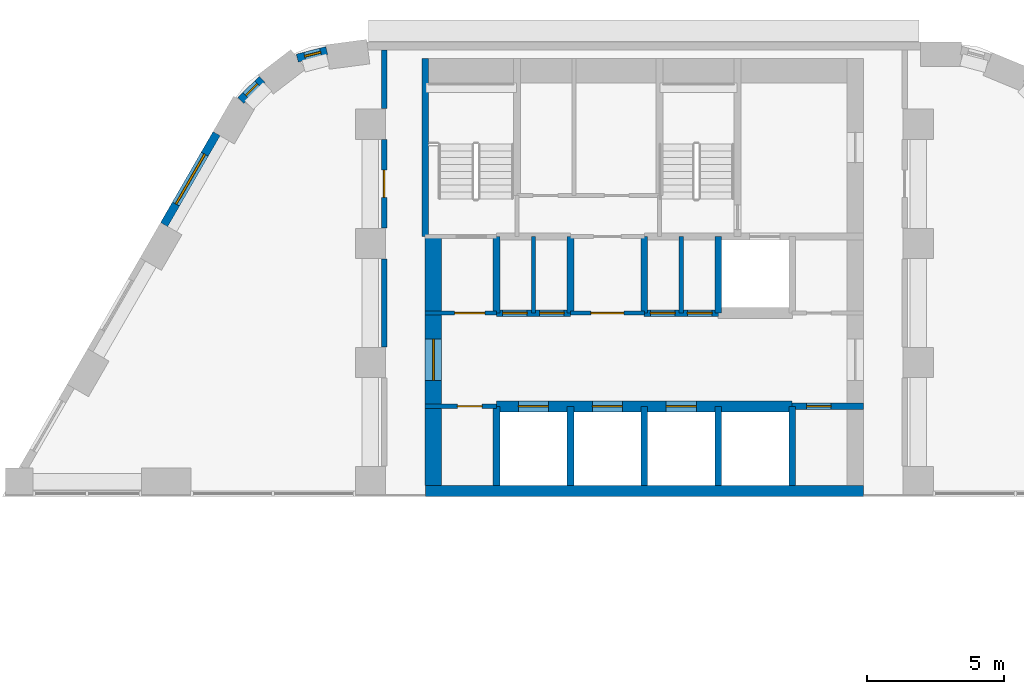
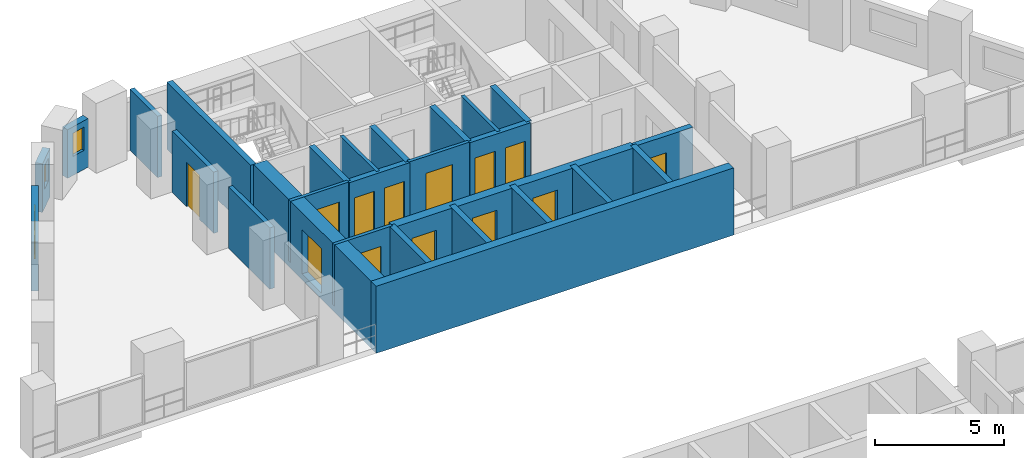
# One storey, part 7 of 11: 27 walls, 13 doors, 3 windows, 16 openings.
"""IFC4 building model written with IfcOpenShell, lengths in metres."""

from ifc_helpers import new_model, si_unit, direction, frame, frame_2d, origin, place, context, subcontext, project, spatial, rectangle, extrude, material, layer, layer_set, type_object, element, fill, save


model = new_model("IFC4")

# Units and contexts
model_context = context("Model", 3, precision=1e-05, world=origin(), true_north=direction((0.0, 1.0)))
body_context = subcontext(model_context, "Body", "Model", "MODEL_VIEW")
ifc_project = project(units=[si_unit("LENGTHUNIT", "METRE"), si_unit("AREAUNIT", "SQUARE_METRE"), si_unit("VOLUMEUNIT", "CUBIC_METRE"), si_unit("PLANEANGLEUNIT", "RADIAN"), si_unit("MASSUNIT", "GRAM", prefix="KILO")], contexts=[model_context])

# Site, building, storey
site_placement = place(None, origin())
site = spatial("IfcSite", under=ifc_project, at=site_placement, CompositionType="ELEMENT")
building_placement = place(site_placement, origin())
building = spatial("IfcBuilding", under=site, at=building_placement, Name="Nakaniwa Court", CompositionType="ELEMENT")
storey_placement = place(building_placement, frame((0.0, 0.0, 34.800048828125)))
storey = spatial("IfcBuildingStorey", under=building, at=storey_placement, Name="L08", CompositionType="ELEMENT", Elevation=34.800048828125)

# Wall
ifc_material_1 = material(Name="Acoustic double stud partition")
ifc_layer_1 = layer(ifc_material_1, 0.199951171875)
ifc_layer_set_1 = layer_set([ifc_layer_1], Name="Acoustic double stud partition")
wall_type_1 = type_object("IfcWallType", Name="Acoustic double stud partition 200", PredefinedType="PARTITIONING", material=ifc_layer_set_1)
wall_1_placement = place(storey_placement, frame((70.5, 92.866943359375, 0.0), z_axis=(0.0, 0.0, 1.0), x_axis=(0.0, 1.0, 0.0)))
element("IfcWall", 1, at=wall_1_placement, inside=storey, type_object=wall_type_1, Name="Partition PW-084", PredefinedType="PARTITIONING", context=body_context, shape_type="SweptSolid", body=[
    extrude(rectangle(XDim=3.216064453125, YDim=0.199951171875, at=frame_2d((1.60791015625, 0.0))), origin(), (0.0, 0.0, 1.0), 2.89990234375),
])

# Wall, opening, door
wall_2_placement = place(storey_placement, frame((70.5, 97.217041015625, 0.0), z_axis=(0.0, 0.0, 1.0), x_axis=(0.0, 1.0, 0.0)))
wall_2 = element("IfcWall", 2, at=wall_2_placement, inside=storey, type_object=wall_type_1, Name="Partition PW-085", PredefinedType="PARTITIONING", context=body_context, shape_type="SweptSolid", body=[
    extrude(rectangle(XDim=3.216064453125, YDim=0.199951171875, at=frame_2d((1.60791015625, 0.0))), origin(), (0.0, 0.0, 1.0), 2.89990234375),
])
opening_1_placement = place(wall_2_placement, frame((1.10791015625, 0.0, 0.0)))
opening_1 = element("IfcOpeningElement", 3, at=opening_1_placement, cuts=wall_2, Name="Opening D-02-04", PredefinedType="OPENING", context=body_context, shape_type="SweptSolid", body=[
    extrude(rectangle(XDim=1.0, YDim=2.10009765625, at=frame_2d((0.5, 1.050048828125))), frame((0.0, 0.10986328125, 0.0), z_axis=(0.0, -1.0, 0.0), x_axis=(1.0, 0.0, 0.0)), (0.0, 0.0, 1.0), 0.219970703125),
])
ifc_material_2 = material(Name="Solid core timber door set, black veneer", Category="wood")
door_type_1 = type_object("IfcDoorType", Name="Internal door 1000", OperationType="NOTDEFINED", PredefinedType="DOOR", material=ifc_material_2)
door_1_placement = place(opening_1_placement, origin())
door_1 = element("IfcDoor", 4, at=door_1_placement, inside=storey, type_object=door_type_1, Name="Door D-02-04 L08-032", OperationType="SINGLE_SWING_LEFT", OverallHeight=2.10009765625, OverallWidth=1.0, PredefinedType="DOOR", context=body_context, shape_type="SweptSolid", body=[
    extrude(rectangle(XDim=1.0, YDim=2.10009765625, at=frame_2d((0.5, 1.050048828125))), frame((0.0, 0.02490234375, 0.0), z_axis=(0.0, -1.0, 0.0), x_axis=(1.0, 0.0, 0.0)), (0.0, 0.0, 1.0), 0.050048828125),
])
fill(opening_1, door_1)

# Wall
wall_3_placement = place(storey_placement, frame((70.5, 101.56689453125, 0.0), z_axis=(0.0, 0.0, 1.0), x_axis=(0.0, 1.0, 0.0)))
element("IfcWall", 5, at=wall_3_placement, inside=storey, type_object=wall_type_1, Name="Partition PW-086", PredefinedType="PARTITIONING", context=body_context, shape_type="SweptSolid", body=[
    extrude(rectangle(XDim=2.133056640625, YDim=0.199951171875, at=frame_2d((1.06640625, 0.0))), origin(), (0.0, 0.0, 1.0), 2.89990234375),
])

# Wall, opening, window
ifc_material_3 = material(Name="Charcoal ceramic cladding")
ifc_layer_2 = layer(ifc_material_3, 0.02, Name="Ceramic cladding")
ifc_material_4 = material(Name="Ventilated air cavity")
ifc_layer_3 = layer(ifc_material_4, 0.04, ventilated=True, Name="Ventilated cavity")
ifc_material_5 = material(Name="Mineral wool insulation")
ifc_layer_4 = layer(ifc_material_5, 0.1, Name="Insulation")
ifc_material_6 = material(Name="Cement bonded sheathing board")
ifc_layer_5 = layer(ifc_material_6, 0.012, Name="Sheathing")
ifc_material_7 = material(Name="Cold-formed galvanised stud frame with mineral wool infill")
ifc_layer_6 = layer(ifc_material_7, 0.1, Name="Stud frame")
ifc_material_8 = material(Name="Fire-rated gypsum plasterboard lining")
ifc_layer_7 = layer(ifc_material_8, 0.028, Name="Lining")
ifc_layer_set_2 = layer_set([ifc_layer_2, ifc_layer_3, ifc_layer_4, ifc_layer_5, ifc_layer_6, ifc_layer_7], Name="Charcoal ceramic faced external wall system")
wall_type_2 = type_object("IfcWallType", Name="Black ceramic faced external wall 300", PredefinedType="SOLIDWALL", material=ifc_layer_set_2)
wall_4_placement = place(storey_placement, frame((68.4052734375, 103.68310546875, 0.0), z_axis=(0.0, 0.0, 1.0), x_axis=(-0.969766298956, -0.244035500304, 0.0)))
wall_4 = element("IfcWall", 6, at=wall_4_placement, inside=storey, type_object=wall_type_2, Name="L08 external wall 27", PredefinedType="SOLIDWALL", context=body_context, shape_type="SweptSolid", body=[
    extrude(rectangle(XDim=1.110595703125, YDim=0.300048828125, at=frame_2d((0.55517578125, 0.0))), origin(), (0.0, 0.0, 1.0), 2.300048828125),
])
opening_2_placement = place(wall_4_placement, frame((0.230712890625, 0.0, 0.89990234375)))
opening_2 = element("IfcOpeningElement", 7, at=opening_2_placement, cuts=wall_4, Name="Opening W8.18", PredefinedType="OPENING", context=body_context, shape_type="SweptSolid", body=[
    extrude(rectangle(XDim=0.60009765625, YDim=1.10009765625, at=frame_2d((0.300048828125, 0.550048828125))), frame((0.0, 0.159912109375, 0.0), z_axis=(0.0, -1.0, 0.0), x_axis=(1.0, 0.0, 0.0)), (0.0, 0.0, 1.0), 0.320068359375),
])
ifc_material_9 = material(Name="Black anodised aluminium frame with dark low-E laminated double glazing", Category="aluminium")
window_type_1 = type_object("IfcWindowType", Name="Dark glass window 600x1100 sill 900", PartitioningType="SINGLE_PANEL", PredefinedType="WINDOW", material=ifc_material_9)
window_1_placement = place(opening_2_placement, origin())
window_1 = element("IfcWindow", 8, at=window_1_placement, inside=storey, type_object=window_type_1, Name="L08 habitable room window 27-0", OverallHeight=1.10009765625, OverallWidth=0.60009765625, PartitioningType="SINGLE_PANEL", PredefinedType="WINDOW", context=body_context, shape_type="SweptSolid", body=[
    extrude(rectangle(XDim=0.60009765625, YDim=1.10009765625, at=frame_2d((0.300048828125, 0.550048828125))), frame((0.0, 0.030029296875, 0.0), z_axis=(0.0, -1.0, 0.0), x_axis=(1.0, 0.0, 0.0)), (0.0, 0.0, 1.0), 0.06005859375),
])
fill(opening_2, window_1)

wall_5_placement = place(storey_placement, frame((66.04150390625, 102.637451171875, 0.0), z_axis=(0.0, 0.0, 1.0), x_axis=(-0.708892395813, -0.705316646024, 0.0)))
wall_5 = element("IfcWall", 9, at=wall_5_placement, inside=storey, type_object=wall_type_2, Name="L08 external wall 28", PredefinedType="SOLIDWALL", context=body_context, shape_type="SweptSolid", body=[
    extrude(rectangle(XDim=1.092529296875, YDim=0.300048828125, at=frame_2d((0.54638671875, 0.0))), origin(), (0.0, 0.0, 1.0), 2.300048828125),
])
opening_3_placement = place(wall_5_placement, frame((0.23583984375, 0.0, 0.89990234375)))
opening_3 = element("IfcOpeningElement", 10, at=opening_3_placement, cuts=wall_5, Name="Opening W8.19", PredefinedType="OPENING", context=body_context, shape_type="SweptSolid", body=[
    extrude(rectangle(XDim=0.60009765625, YDim=1.10009765625, at=frame_2d((0.300048828125, 0.550048828125))), frame((0.0, 0.159912109375, 0.0), z_axis=(0.0, -1.0, 0.0), x_axis=(1.0, 0.0, 0.0)), (0.0, 0.0, 1.0), 0.320068359375),
])
window_2_placement = place(opening_3_placement, origin())
window_2 = element("IfcWindow", 11, at=window_2_placement, inside=storey, type_object=window_type_1, Name="L08 habitable room window 28-0", OverallHeight=1.10009765625, OverallWidth=0.60009765625, PartitioningType="SINGLE_PANEL", PredefinedType="WINDOW", context=body_context, shape_type="SweptSolid", body=[
    extrude(rectangle(XDim=0.60009765625, YDim=1.10009765625, at=frame_2d((0.300048828125, 0.550048828125))), frame((0.0, 0.030029296875, 0.0), z_axis=(0.0, -1.0, 0.0), x_axis=(1.0, 0.0, 0.0)), (0.0, 0.0, 1.0), 0.06005859375),
])
fill(opening_3, window_2)

wall_6_placement = place(storey_placement, frame((64.384765625, 100.653564453125, 0.0), z_axis=(0.0, 0.0, 1.0), x_axis=(-0.499974163209, -0.866040320149, 0.0)))
wall_6 = element("IfcWall", 12, at=wall_6_placement, inside=storey, type_object=wall_type_2, Name="L08 external wall 29", PredefinedType="SOLIDWALL", context=body_context, shape_type="SweptSolid", body=[
    extrude(rectangle(XDim=3.834228515625, YDim=0.300048828125, at=frame_2d((1.9169921875, 0.0))), origin(), (0.0, 0.0, 1.0), 2.300048828125),
])
opening_4_placement = place(wall_6_placement, frame((0.8671875, 0.0, 0.89990234375)))
opening_4 = element("IfcOpeningElement", 13, at=opening_4_placement, cuts=wall_6, Name="Opening W7.20", PredefinedType="OPENING", context=body_context, shape_type="SweptSolid", body=[
    extrude(rectangle(XDim=2.10009765625, YDim=1.10009765625, at=frame_2d((1.050048828125, 0.550048828125))), frame((0.0, 0.159912109375, 0.0), z_axis=(0.0, -1.0, 0.0), x_axis=(1.0, 0.0, 0.0)), (0.0, 0.0, 1.0), 0.320068359375),
])
window_type_2 = type_object("IfcWindowType", Name="Dark glass window 2100x1100 sill 900", PartitioningType="SINGLE_PANEL", PredefinedType="WINDOW", material=ifc_material_9)
window_3_placement = place(opening_4_placement, origin())
window_3 = element("IfcWindow", 14, at=window_3_placement, inside=storey, type_object=window_type_2, Name="L08 habitable room window 29-0", OverallHeight=1.10009765625, OverallWidth=2.10009765625, PartitioningType="SINGLE_PANEL", PredefinedType="WINDOW", context=body_context, shape_type="SweptSolid", body=[
    extrude(rectangle(XDim=2.10009765625, YDim=1.10009765625, at=frame_2d((1.050048828125, 0.550048828125))), frame((0.0, 0.030029296875, 0.0), z_axis=(0.0, -1.0, 0.0), x_axis=(1.0, 0.0, 0.0)), (0.0, 0.0, 1.0), 0.06005859375),
])
fill(opening_4, window_3)

# Wall, opening, door
ifc_material_10 = material(Name="Blockwork partition", Category="masonry")
ifc_layer_8 = layer(ifc_material_10, 0.14990234375)
ifc_layer_set_3 = layer_set([ifc_layer_8], Name="Blockwork partition")
wall_type_3 = type_object("IfcWallType", Name="Blockwork partition 150", PredefinedType="PARTITIONING", material=ifc_layer_set_3)
wall_7_placement = place(storey_placement, frame((74.60009765625, 90.699951171875, 0.0), z_axis=(0.0, 0.0, 1.0), x_axis=(-1.0, 0.0, 0.0)))
wall_7 = element("IfcWall", 15, at=wall_7_placement, inside=storey, type_object=wall_type_3, Name="Partition PW-003", PredefinedType="PARTITIONING", context=body_context, shape_type="SweptSolid", body=[
    extrude(rectangle(XDim=2.60009765625, YDim=0.14990234375, at=frame_2d((1.300048828125, 0.0))), origin(), (0.0, 0.0, 1.0), 2.89990234375),
])
opening_5_placement = place(wall_7_placement, frame((0.52490234375, 0.0, 0.0)))
opening_5 = element("IfcOpeningElement", 16, at=opening_5_placement, cuts=wall_7, Name="Opening D-05-01", PredefinedType="OPENING", context=body_context, shape_type="SweptSolid", body=[
    extrude(rectangle(XDim=0.89990234375, YDim=2.10009765625, at=frame_2d((0.449951171875, 1.050048828125))), frame((0.0, 0.0849609375, 0.0), z_axis=(0.0, -1.0, 0.0), x_axis=(1.0, 0.0, 0.0)), (0.0, 0.0, 1.0), 0.169921875),
])
ifc_material_11 = material(Name="Fire rated steel door set", Category="steel")
door_type_2 = type_object("IfcDoorType", Name="Service room door 900", OperationType="NOTDEFINED", PredefinedType="DOOR", material=ifc_material_11)
door_2_placement = place(opening_5_placement, origin())
door_2 = element("IfcDoor", 17, at=door_2_placement, inside=storey, type_object=door_type_2, Name="Door D-05-01 L08-001", OperationType="SINGLE_SWING_RIGHT", OverallHeight=2.10009765625, OverallWidth=0.89990234375, PredefinedType="DOOR", context=body_context, shape_type="SweptSolid", body=[
    extrude(rectangle(XDim=0.89990234375, YDim=2.10009765625, at=frame_2d((0.449951171875, 1.050048828125))), frame((0.0, 0.02490234375, 0.0), z_axis=(0.0, -1.0, 0.0), x_axis=(1.0, 0.0, 0.0)), (0.0, 0.0, 1.0), 0.050048828125),
])
fill(opening_5, door_2)

wall_8_placement = place(storey_placement, frame((72.0, 94.10009765625, 0.0), z_axis=(0.0, 0.0, 1.0), x_axis=(1.0, 0.0, 0.0)))
wall_8 = element("IfcWall", 18, at=wall_8_placement, inside=storey, type_object=wall_type_3, Name="Partition PW-016", PredefinedType="PARTITIONING", context=body_context, shape_type="SweptSolid", body=[
    extrude(rectangle(XDim=2.60302734375, YDim=0.14990234375, at=frame_2d((1.301513671875, 0.0))), origin(), (0.0, 0.0, 1.0), 2.89990234375),
])
opening_6_placement = place(wall_8_placement, frame((1.074951171875, 0.0, 0.0)))
opening_6 = element("IfcOpeningElement", 19, at=opening_6_placement, cuts=wall_8, Name="Opening D-08-01", PredefinedType="OPENING", context=body_context, shape_type="SweptSolid", body=[
    extrude(rectangle(XDim=1.10009765625, YDim=2.10009765625, at=frame_2d((0.550048828125, 1.050048828125))), frame((0.0, 0.0849609375, 0.0), z_axis=(0.0, -1.0, 0.0), x_axis=(1.0, 0.0, 0.0)), (0.0, 0.0, 1.0), 0.169921875),
])
door_type_3 = type_object("IfcDoorType", Name="Stair lobby door 1100", OperationType="NOTDEFINED", PredefinedType="DOOR", material=ifc_material_11)
door_3_placement = place(opening_6_placement, origin())
door_3 = element("IfcDoor", 20, at=door_3_placement, inside=storey, type_object=door_type_3, Name="Door D-08-01 L08-003", OperationType="SINGLE_SWING_RIGHT", OverallHeight=2.10009765625, OverallWidth=1.10009765625, PredefinedType="DOOR", context=body_context, shape_type="SweptSolid", body=[
    extrude(rectangle(XDim=1.10009765625, YDim=2.10009765625, at=frame_2d((0.550048828125, 1.050048828125))), frame((0.0, 0.02490234375, 0.0), z_axis=(0.0, -1.0, 0.0), x_axis=(1.0, 0.0, 0.0)), (0.0, 0.0, 1.0), 0.050048828125),
])
fill(opening_6, door_3)

wall_9_placement = place(storey_placement, frame((77.297119140625, 94.10009765625, 0.0), z_axis=(0.0, 0.0, 1.0), x_axis=(1.0, 0.0, 0.0)))
wall_9 = element("IfcWall", 21, at=wall_9_placement, inside=storey, type_object=wall_type_3, Name="Partition PW-017", PredefinedType="PARTITIONING", context=body_context, shape_type="SweptSolid", body=[
    extrude(rectangle(XDim=2.705810546875, YDim=0.14990234375, at=frame_2d((1.35302734375, 0.0))), origin(), (0.0, 0.0, 1.0), 2.89990234375),
])
opening_7_placement = place(wall_9_placement, frame((0.7529296875, 0.0, 0.0)))
opening_7 = element("IfcOpeningElement", 22, at=opening_7_placement, cuts=wall_9, Name="Opening D-06-01", PredefinedType="OPENING", context=body_context, shape_type="SweptSolid", body=[
    extrude(rectangle(XDim=1.199951171875, YDim=2.10009765625, at=frame_2d((0.60009765625, 1.050048828125))), frame((0.0, 0.0849609375, 0.0), z_axis=(0.0, -1.0, 0.0), x_axis=(1.0, 0.0, 0.0)), (0.0, 0.0, 1.0), 0.169921875),
])
ifc_material_12 = material(Name="Fire rated steel double door set", Category="steel")
door_type_4 = type_object("IfcDoorType", Name="Service passage double door 1200", OperationType="NOTDEFINED", PredefinedType="DOOR", material=ifc_material_12)
door_4_placement = place(opening_7_placement, origin())
door_4 = element("IfcDoor", 23, at=door_4_placement, inside=storey, type_object=door_type_4, Name="Door D-06-01 L08-006", OperationType="DOUBLE_DOOR_SINGLE_SWING", OverallHeight=2.10009765625, OverallWidth=1.199951171875, PredefinedType="DOOR", context=body_context, shape_type="SweptSolid", body=[
    extrude(rectangle(XDim=1.199951171875, YDim=2.10009765625, at=frame_2d((0.60009765625, 1.050048828125))), frame((0.0, 0.02490234375, 0.0), z_axis=(0.0, -1.0, 0.0), x_axis=(1.0, 0.0, 0.0)), (0.0, 0.0, 1.0), 0.050048828125),
])
fill(opening_7, door_4)

# Walls
for number, where, z_axis, x_axis, name in (
    (24, (75.949951171875, 94.10009765625, 0.0), (0.0, 0.0, 1.0), (0.0, 1.0, 0.0), "Partition PW-023"),
    (25, (81.35009765625, 94.10009765625, 0.0), (0.0, 0.0, 1.0), (0.0, 1.0, 0.0), "Partition PW-027"),
):
    element("IfcWall", number, at=place(storey_placement, frame(where, z_axis=z_axis, x_axis=x_axis)), inside=storey, type_object=wall_type_3, Name=name, PredefinedType="PARTITIONING", context=body_context, shape_type="SweptSolid", body=[
        extrude(rectangle(XDim=2.7998046875, YDim=0.14990234375, at=frame_2d((1.39990234375, 0.0))), origin(), (0.0, 0.0, 1.0), 2.89990234375),
    ])

# Wall, opening, door
ifc_material_13 = material(Name="Concrete C100/115", Category="concrete")
ifc_layer_9 = layer(ifc_material_13, 0.60009765625)
ifc_layer_set_4 = layer_set([ifc_layer_9], Name="Concrete C100/115")
wall_type_4 = type_object("IfcWallType", Name="Concrete core side wall 600 C100", PredefinedType="SHEAR", material=ifc_layer_set_4)
wall_10_placement = place(storey_placement, frame((72.300048828125, 87.800048828125, -0.275146484375), z_axis=(0.0, 0.0, 1.0), x_axis=(0.0, 1.0, 0.0)))
wall_10 = element("IfcWall", 26, at=wall_10_placement, inside=storey, type_object=wall_type_4, Name="Core wall SW-04", PredefinedType="SHEAR", context=body_context, shape_type="SweptSolid", body=[
    extrude(rectangle(XDim=9.099853515625, YDim=0.60009765625, at=frame_2d((4.5498046875, 0.0))), origin(), (0.0, 0.0, 1.0), 3.175048828125),
])
opening_8_placement = place(wall_10_placement, frame((3.85009765625, 0.0, 0.27490234375)))
opening_8 = element("IfcOpeningElement", 27, at=opening_8_placement, cuts=wall_10, Name="Opening D-07-02", PredefinedType="OPENING", context=body_context, shape_type="SweptSolid", body=[
    extrude(rectangle(XDim=1.5, YDim=2.10009765625, at=frame_2d((0.75, 1.050048828125))), frame((0.0, 0.31005859375, 0.0), z_axis=(0.0, -1.0, 0.0), x_axis=(1.0, 0.0, 0.0)), (0.0, 0.0, 1.0), 0.6201171875),
])
ifc_material_14 = material(Name="Glazed fire rated steel double door set", Category="steel")
door_type_5 = type_object("IfcDoorType", Name="Lobby double door 1500", OperationType="NOTDEFINED", PredefinedType="DOOR", material=ifc_material_14)
door_5_placement = place(opening_8_placement, origin())
door_5 = element("IfcDoor", 28, at=door_5_placement, inside=storey, type_object=door_type_5, Name="Door D-07-02 L08-034", OperationType="DOUBLE_DOOR_SINGLE_SWING", OverallHeight=2.10009765625, OverallWidth=1.5, PredefinedType="DOOR", context=body_context, shape_type="SweptSolid", body=[
    extrude(rectangle(XDim=1.5, YDim=2.10009765625, at=frame_2d((0.75, 1.050048828125))), frame((0.0, 0.02490234375, 0.0), z_axis=(0.0, -1.0, 0.0), x_axis=(1.0, 0.0, 0.0)), (0.0, 0.0, 1.0), 0.050048828125),
])
fill(opening_8, door_5)

# Wall, openings, doors
ifc_layer_10 = layer(ifc_material_13, 0.39990234375)
ifc_layer_set_5 = layer_set([ifc_layer_10], Name="Concrete C100/115")
wall_type_5 = type_object("IfcWallType", Name="Concrete core spine wall 400 C100", PredefinedType="SHEAR", material=ifc_layer_set_5)
wall_11_placement = place(storey_placement, frame((74.60009765625, 90.699951171875, -0.275146484375), z_axis=(0.0, 0.0, 1.0), x_axis=(1.0, 0.0, 0.0)))
wall_11 = element("IfcWall", 29, at=wall_11_placement, inside=storey, type_object=wall_type_5, Name="Core wall SW-07", PredefinedType="SHEAR", context=body_context, shape_type="SweptSolid", body=[
    extrude(rectangle(XDim=10.7998046875, YDim=0.39990234375, at=frame_2d((5.39990234375, 0.0))), origin(), (0.0, 0.0, 1.0), 3.175048828125),
])
opening_9_placement = place(wall_11_placement, frame((0.800048828125, 0.0, 0.27490234375)))
opening_9 = element("IfcOpeningElement", 30, at=opening_9_placement, cuts=wall_11, Name="Opening LD01", PredefinedType="OPENING", context=body_context, shape_type="SweptSolid", body=[
    extrude(rectangle(XDim=1.10009765625, YDim=2.10009765625, at=frame_2d((0.550048828125, 1.050048828125))), frame((0.0, 0.2099609375, 0.0), z_axis=(0.0, -1.0, 0.0), x_axis=(1.0, 0.0, 0.0)), (0.0, 0.0, 1.0), 0.419921875),
])
opening_10_placement = place(wall_11_placement, frame((3.5, 0.0, 0.27490234375)))
opening_10 = element("IfcOpeningElement", 31, at=opening_10_placement, cuts=wall_11, Name="Opening LD02", PredefinedType="OPENING", context=body_context, shape_type="SweptSolid", body=[
    extrude(rectangle(XDim=1.10009765625, YDim=2.10009765625, at=frame_2d((0.550048828125, 1.050048828125))), frame((0.0, 0.2099609375, 0.0), z_axis=(0.0, -1.0, 0.0), x_axis=(1.0, 0.0, 0.0)), (0.0, 0.0, 1.0), 0.419921875),
])
opening_11_placement = place(wall_11_placement, frame((6.199951171875, 0.0, 0.27490234375)))
opening_11 = element("IfcOpeningElement", 32, at=opening_11_placement, cuts=wall_11, Name="Opening LD03", PredefinedType="OPENING", context=body_context, shape_type="SweptSolid", body=[
    extrude(rectangle(XDim=1.10009765625, YDim=2.10009765625, at=frame_2d((0.550048828125, 1.050048828125))), frame((0.0, 0.2099609375, 0.0), z_axis=(0.0, -1.0, 0.0), x_axis=(1.0, 0.0, 0.0)), (0.0, 0.0, 1.0), 0.419921875),
])
ifc_material_15 = material(Name="Stainless steel sliding lift landing door", Category="steel")
door_type_6 = type_object("IfcDoorType", Name="Lift landing door 1100", OperationType="NOTDEFINED", PredefinedType="DOOR", material=ifc_material_15)
door_6_placement = place(opening_9_placement, origin())
door_6 = element("IfcDoor", 33, at=door_6_placement, inside=storey, type_object=door_type_6, Name="Lift landing door LD01 L08-001", OperationType="SLIDING_TO_LEFT", OverallHeight=2.10009765625, OverallWidth=1.10009765625, PredefinedType="DOOR", context=body_context, shape_type="SweptSolid", body=[
    extrude(rectangle(XDim=1.10009765625, YDim=2.10009765625, at=frame_2d((0.550048828125, 1.050048828125))), frame((0.0, 0.02490234375, 0.0), z_axis=(0.0, -1.0, 0.0), x_axis=(1.0, 0.0, 0.0)), (0.0, 0.0, 1.0), 0.050048828125),
])
fill(opening_9, door_6)
door_7_placement = place(opening_10_placement, origin())
door_7 = element("IfcDoor", 34, at=door_7_placement, inside=storey, type_object=door_type_6, Name="Lift landing door LD02 L08-002", OperationType="SLIDING_TO_LEFT", OverallHeight=2.10009765625, OverallWidth=1.10009765625, PredefinedType="DOOR", context=body_context, shape_type="SweptSolid", body=[
    extrude(rectangle(XDim=1.10009765625, YDim=2.10009765625, at=frame_2d((0.550048828125, 1.050048828125))), frame((0.0, 0.02490234375, 0.0), z_axis=(0.0, -1.0, 0.0), x_axis=(1.0, 0.0, 0.0)), (0.0, 0.0, 1.0), 0.050048828125),
])
fill(opening_10, door_7)
door_8_placement = place(opening_11_placement, origin())
door_8 = element("IfcDoor", 35, at=door_8_placement, inside=storey, type_object=door_type_6, Name="Lift landing door LD03 L08-003", OperationType="SLIDING_TO_LEFT", OverallHeight=2.10009765625, OverallWidth=1.10009765625, PredefinedType="DOOR", context=body_context, shape_type="SweptSolid", body=[
    extrude(rectangle(XDim=1.10009765625, YDim=2.10009765625, at=frame_2d((0.550048828125, 1.050048828125))), frame((0.0, 0.02490234375, 0.0), z_axis=(0.0, -1.0, 0.0), x_axis=(1.0, 0.0, 0.0)), (0.0, 0.0, 1.0), 0.050048828125),
])
fill(opening_11, door_8)

# Walls
ifc_layer_11 = layer(ifc_material_13, 0.25)
ifc_layer_set_6 = layer_set([ifc_layer_11], Name="Concrete C100/115")
wall_type_6 = type_object("IfcWallType", Name="Concrete core wall 250 C100", PredefinedType="SHEAR", material=ifc_layer_set_6)
wall_12_placement = place(storey_placement, frame((72.0, 96.89990234375, -0.275146484375), z_axis=(0.0, 0.0, 1.0), x_axis=(0.0, 1.0, 0.0)))
element("IfcWall", 36, at=wall_12_placement, inside=storey, type_object=wall_type_6, Name="Core wall SW-30", PredefinedType="SHEAR", context=body_context, shape_type="SweptSolid", body=[
    extrude(rectangle(XDim=6.5, YDim=0.25, at=frame_2d((3.25, 0.0))), origin(), (0.0, 0.0, 1.0), 3.175048828125),
])
ifc_layer_12 = layer(ifc_material_13, 0.39990234375)
ifc_layer_set_7 = layer_set([ifc_layer_12], Name="Concrete C100/115")
wall_type_7 = type_object("IfcWallType", Name="Concrete core well wall 400 C100", PredefinedType="SHEAR", material=ifc_layer_set_7)
wall_13_placement = place(storey_placement, frame((72.00390625, 87.60009765625, -0.275146484375), z_axis=(0.0, 0.0, 1.0), x_axis=(1.0, 0.0, 0.0)))
element("IfcWall", 37, at=wall_13_placement, inside=storey, type_object=wall_type_7, Name="Core wall SW-87", PredefinedType="SHEAR", context=body_context, shape_type="SweptSolid", body=[
    extrude(rectangle(XDim=15.9921875, YDim=0.39990234375, at=frame_2d((7.99609375, 0.0))), origin(), (0.0, 0.0, 1.0), 3.175048828125),
])
ifc_layer_13 = layer(ifc_material_13, 0.25)
ifc_layer_set_8 = layer_set([ifc_layer_13], Name="Concrete C100/115")
wall_type_8 = type_object("IfcWallType", Name="Concrete shaft wall 250 C100", PredefinedType="SHEAR", material=ifc_layer_set_8)
wall_14_placement = place(storey_placement, frame((74.60009765625, 87.800048828125, -0.275146484375), z_axis=(0.0, 0.0, 1.0), x_axis=(0.0, 1.0, 0.0)))
element("IfcWall", 38, at=wall_14_placement, inside=storey, type_object=wall_type_8, Name="Core wall SW-01", PredefinedType="SHEAR", context=body_context, shape_type="SweptSolid", body=[
    extrude(rectangle(XDim=2.89990234375, YDim=0.25, at=frame_2d((1.449951171875, 0.0))), origin(), (0.0, 0.0, 1.0), 3.175048828125),
])
wall_15_placement = place(storey_placement, frame((74.60009765625, 94.10009765625, -0.275146484375), z_axis=(0.0, 0.0, 1.0), x_axis=(0.0, 1.0, 0.0)))
element("IfcWall", 39, at=wall_15_placement, inside=storey, type_object=wall_type_8, Name="Core wall SW-02", PredefinedType="SHEAR", context=body_context, shape_type="SweptSolid", body=[
    extrude(rectangle(XDim=2.7998046875, YDim=0.25, at=frame_2d((1.39990234375, 0.0))), origin(), (0.0, 0.0, 1.0), 3.175048828125),
])
wall_16_placement = place(storey_placement, frame((77.300048828125, 87.800048828125, -0.275146484375), z_axis=(0.0, 0.0, 1.0), x_axis=(0.0, 1.0, 0.0)))
element("IfcWall", 40, at=wall_16_placement, inside=storey, type_object=wall_type_8, Name="Core wall SW-05", PredefinedType="SHEAR", context=body_context, shape_type="SweptSolid", body=[
    extrude(rectangle(XDim=2.89990234375, YDim=0.25, at=frame_2d((1.449951171875, 0.0))), origin(), (0.0, 0.0, 1.0), 3.175048828125),
])
wall_17_placement = place(storey_placement, frame((77.300048828125, 94.10009765625, -0.275146484375), z_axis=(0.0, 0.0, 1.0), x_axis=(0.0, 1.0, 0.0)))
element("IfcWall", 41, at=wall_17_placement, inside=storey, type_object=wall_type_8, Name="Core wall SW-06", PredefinedType="SHEAR", context=body_context, shape_type="SweptSolid", body=[
    extrude(rectangle(XDim=2.7998046875, YDim=0.25, at=frame_2d((1.39990234375, 0.0))), origin(), (0.0, 0.0, 1.0), 3.175048828125),
])
wall_18_placement = place(storey_placement, frame((80.0, 87.800048828125, -0.275146484375), z_axis=(0.0, 0.0, 1.0), x_axis=(0.0, 1.0, 0.0)))
element("IfcWall", 42, at=wall_18_placement, inside=storey, type_object=wall_type_8, Name="Core wall SW-08", PredefinedType="SHEAR", context=body_context, shape_type="SweptSolid", body=[
    extrude(rectangle(XDim=2.89990234375, YDim=0.25, at=frame_2d((1.449951171875, 0.0))), origin(), (0.0, 0.0, 1.0), 3.175048828125),
])
wall_19_placement = place(storey_placement, frame((80.0, 94.10009765625, -0.275146484375), z_axis=(0.0, 0.0, 1.0), x_axis=(0.0, 1.0, 0.0)))
element("IfcWall", 43, at=wall_19_placement, inside=storey, type_object=wall_type_8, Name="Core wall SW-09", PredefinedType="SHEAR", context=body_context, shape_type="SweptSolid", body=[
    extrude(rectangle(XDim=2.7998046875, YDim=0.25, at=frame_2d((1.39990234375, 0.0))), origin(), (0.0, 0.0, 1.0), 3.175048828125),
])
wall_20_placement = place(storey_placement, frame((82.699951171875, 87.800048828125, -0.275146484375), z_axis=(0.0, 0.0, 1.0), x_axis=(0.0, 1.0, 0.0)))
element("IfcWall", 44, at=wall_20_placement, inside=storey, type_object=wall_type_8, Name="Core wall SW-10", PredefinedType="SHEAR", context=body_context, shape_type="SweptSolid", body=[
    extrude(rectangle(XDim=2.89990234375, YDim=0.25, at=frame_2d((1.449951171875, 0.0))), origin(), (0.0, 0.0, 1.0), 3.175048828125),
])
wall_21_placement = place(storey_placement, frame((82.699951171875, 94.10009765625, -0.275146484375), z_axis=(0.0, 0.0, 1.0), x_axis=(0.0, 1.0, 0.0)))
element("IfcWall", 45, at=wall_21_placement, inside=storey, type_object=wall_type_8, Name="Core wall SW-11", PredefinedType="SHEAR", context=body_context, shape_type="SweptSolid", body=[
    extrude(rectangle(XDim=2.7998046875, YDim=0.25, at=frame_2d((1.39990234375, 0.0))), origin(), (0.0, 0.0, 1.0), 3.175048828125),
])
wall_22_placement = place(storey_placement, frame((85.39990234375, 87.800048828125, -0.275146484375), z_axis=(0.0, 0.0, 1.0), x_axis=(0.0, 1.0, 0.0)))
element("IfcWall", 46, at=wall_22_placement, inside=storey, type_object=wall_type_8, Name="Core wall SW-12", PredefinedType="SHEAR", context=body_context, shape_type="SweptSolid", body=[
    extrude(rectangle(XDim=2.89990234375, YDim=0.25, at=frame_2d((1.449951171875, 0.0))), origin(), (0.0, 0.0, 1.0), 3.175048828125),
])

# Wall, opening, door
wall_23_placement = place(storey_placement, frame((88.0, 90.699951171875, -0.275146484375), z_axis=(0.0, 0.0, 1.0), x_axis=(-1.0, 0.0, 0.0)))
wall_23 = element("IfcWall", 47, at=wall_23_placement, inside=storey, type_object=wall_type_8, Name="Core wall SW-14", PredefinedType="SHEAR", context=body_context, shape_type="SweptSolid", body=[
    extrude(rectangle(XDim=2.60009765625, YDim=0.25, at=frame_2d((1.300048828125, 0.0))), origin(), (0.0, 0.0, 1.0), 3.175048828125),
])
opening_12_placement = place(wall_23_placement, frame((1.175048828125, 0.0, 0.27490234375)))
opening_12 = element("IfcOpeningElement", 48, at=opening_12_placement, cuts=wall_23, Name="Opening D-05-02", PredefinedType="OPENING", context=body_context, shape_type="SweptSolid", body=[
    extrude(rectangle(XDim=0.89990234375, YDim=2.10009765625, at=frame_2d((0.449951171875, 1.050048828125))), frame((0.0, 0.135009765625, 0.0), z_axis=(0.0, -1.0, 0.0), x_axis=(1.0, 0.0, 0.0)), (0.0, 0.0, 1.0), 0.27001953125),
])
door_9_placement = place(opening_12_placement, origin())
door_9 = element("IfcDoor", 49, at=door_9_placement, inside=storey, type_object=door_type_2, Name="Door D-05-02 L08-002", OperationType="SINGLE_SWING_LEFT", OverallHeight=2.10009765625, OverallWidth=0.89990234375, PredefinedType="DOOR", context=body_context, shape_type="SweptSolid", body=[
    extrude(rectangle(XDim=0.89990234375, YDim=2.10009765625, at=frame_2d((0.449951171875, 1.050048828125))), frame((0.0, 0.02490234375, 0.0), z_axis=(0.0, -1.0, 0.0), x_axis=(1.0, 0.0, 0.0)), (0.0, 0.0, 1.0), 0.050048828125),
])
fill(opening_12, door_9)

# Wall, openings, doors
wall_24_placement = place(storey_placement, frame((74.596923828125, 94.10009765625, -0.275146484375), z_axis=(0.0, 0.0, 1.0), x_axis=(1.0, 0.0, 0.0)))
wall_24 = element("IfcWall", 50, at=wall_24_placement, inside=storey, type_object=wall_type_8, Name="Core wall SW-19", PredefinedType="SHEAR", context=body_context, shape_type="SweptSolid", body=[
    extrude(rectangle(XDim=2.7060546875, YDim=0.25, at=frame_2d((1.35302734375, 0.0))), origin(), (0.0, 0.0, 1.0), 3.175048828125),
])
opening_13_placement = place(wall_24_placement, frame((0.22802734375, 0.0, 0.27490234375)))
opening_13 = element("IfcOpeningElement", 51, at=opening_13_placement, cuts=wall_24, Name="Opening D-05-03", PredefinedType="OPENING", context=body_context, shape_type="SweptSolid", body=[
    extrude(rectangle(XDim=0.89990234375, YDim=2.10009765625, at=frame_2d((0.449951171875, 1.050048828125))), frame((0.0, 0.135009765625, 0.0), z_axis=(0.0, -1.0, 0.0), x_axis=(1.0, 0.0, 0.0)), (0.0, 0.0, 1.0), 0.27001953125),
])
opening_14_placement = place(wall_24_placement, frame((1.577880859375, 0.0, 0.27490234375)))
opening_14 = element("IfcOpeningElement", 52, at=opening_14_placement, cuts=wall_24, Name="Opening D-05-04", PredefinedType="OPENING", context=body_context, shape_type="SweptSolid", body=[
    extrude(rectangle(XDim=0.89990234375, YDim=2.10009765625, at=frame_2d((0.449951171875, 1.050048828125))), frame((0.0, 0.135009765625, 0.0), z_axis=(0.0, -1.0, 0.0), x_axis=(1.0, 0.0, 0.0)), (0.0, 0.0, 1.0), 0.27001953125),
])
door_10_placement = place(opening_13_placement, origin())
door_10 = element("IfcDoor", 53, at=door_10_placement, inside=storey, type_object=door_type_2, Name="Door D-05-03 L08-004", OperationType="SINGLE_SWING_LEFT", OverallHeight=2.10009765625, OverallWidth=0.89990234375, PredefinedType="DOOR", context=body_context, shape_type="SweptSolid", body=[
    extrude(rectangle(XDim=0.89990234375, YDim=2.10009765625, at=frame_2d((0.449951171875, 1.050048828125))), frame((0.0, 0.02490234375, 0.0), z_axis=(0.0, -1.0, 0.0), x_axis=(1.0, 0.0, 0.0)), (0.0, 0.0, 1.0), 0.050048828125),
])
fill(opening_13, door_10)
door_11_placement = place(opening_14_placement, origin())
door_11 = element("IfcDoor", 54, at=door_11_placement, inside=storey, type_object=door_type_2, Name="Door D-05-04 L08-005", OperationType="SINGLE_SWING_RIGHT", OverallHeight=2.10009765625, OverallWidth=0.89990234375, PredefinedType="DOOR", context=body_context, shape_type="SweptSolid", body=[
    extrude(rectangle(XDim=0.89990234375, YDim=2.10009765625, at=frame_2d((0.449951171875, 1.050048828125))), frame((0.0, 0.02490234375, 0.0), z_axis=(0.0, -1.0, 0.0), x_axis=(1.0, 0.0, 0.0)), (0.0, 0.0, 1.0), 0.050048828125),
])
fill(opening_14, door_11)

wall_25_placement = place(storey_placement, frame((79.9970703125, 94.10009765625, -0.275146484375), z_axis=(0.0, 0.0, 1.0), x_axis=(1.0, 0.0, 0.0)))
wall_25 = element("IfcWall", 55, at=wall_25_placement, inside=storey, type_object=wall_type_8, Name="Core wall SW-20", PredefinedType="SHEAR", context=body_context, shape_type="SweptSolid", body=[
    extrude(rectangle(XDim=2.705810546875, YDim=0.25, at=frame_2d((1.35302734375, 0.0))), origin(), (0.0, 0.0, 1.0), 3.175048828125),
])
opening_15_placement = place(wall_25_placement, frame((0.22802734375, 0.0, 0.27490234375)))
opening_15 = element("IfcOpeningElement", 56, at=opening_15_placement, cuts=wall_25, Name="Opening D-05-05", PredefinedType="OPENING", context=body_context, shape_type="SweptSolid", body=[
    extrude(rectangle(XDim=0.89990234375, YDim=2.10009765625, at=frame_2d((0.449951171875, 1.050048828125))), frame((0.0, 0.135009765625, 0.0), z_axis=(0.0, -1.0, 0.0), x_axis=(1.0, 0.0, 0.0)), (0.0, 0.0, 1.0), 0.27001953125),
])
opening_16_placement = place(wall_25_placement, frame((1.577880859375, 0.0, 0.27490234375)))
opening_16 = element("IfcOpeningElement", 57, at=opening_16_placement, cuts=wall_25, Name="Opening D-05-06", PredefinedType="OPENING", context=body_context, shape_type="SweptSolid", body=[
    extrude(rectangle(XDim=0.89990234375, YDim=2.10009765625, at=frame_2d((0.449951171875, 1.050048828125))), frame((0.0, 0.135009765625, 0.0), z_axis=(0.0, -1.0, 0.0), x_axis=(1.0, 0.0, 0.0)), (0.0, 0.0, 1.0), 0.27001953125),
])
door_12_placement = place(opening_15_placement, origin())
door_12 = element("IfcDoor", 58, at=door_12_placement, inside=storey, type_object=door_type_2, Name="Door D-05-05 L08-007", OperationType="SINGLE_SWING_RIGHT", OverallHeight=2.10009765625, OverallWidth=0.89990234375, PredefinedType="DOOR", context=body_context, shape_type="SweptSolid", body=[
    extrude(rectangle(XDim=0.89990234375, YDim=2.10009765625, at=frame_2d((0.449951171875, 1.050048828125))), frame((0.0, 0.02490234375, 0.0), z_axis=(0.0, -1.0, 0.0), x_axis=(1.0, 0.0, 0.0)), (0.0, 0.0, 1.0), 0.050048828125),
])
fill(opening_15, door_12)
door_13_placement = place(opening_16_placement, origin())
door_13 = element("IfcDoor", 59, at=door_13_placement, inside=storey, type_object=door_type_2, Name="Door D-05-06 L08-008", OperationType="SINGLE_SWING_LEFT", OverallHeight=2.10009765625, OverallWidth=0.89990234375, PredefinedType="DOOR", context=body_context, shape_type="SweptSolid", body=[
    extrude(rectangle(XDim=0.89990234375, YDim=2.10009765625, at=frame_2d((0.449951171875, 1.050048828125))), frame((0.0, 0.02490234375, 0.0), z_axis=(0.0, -1.0, 0.0), x_axis=(1.0, 0.0, 0.0)), (0.0, 0.0, 1.0), 0.050048828125),
])
fill(opening_16, door_13)

save(model, "model.ifc")
